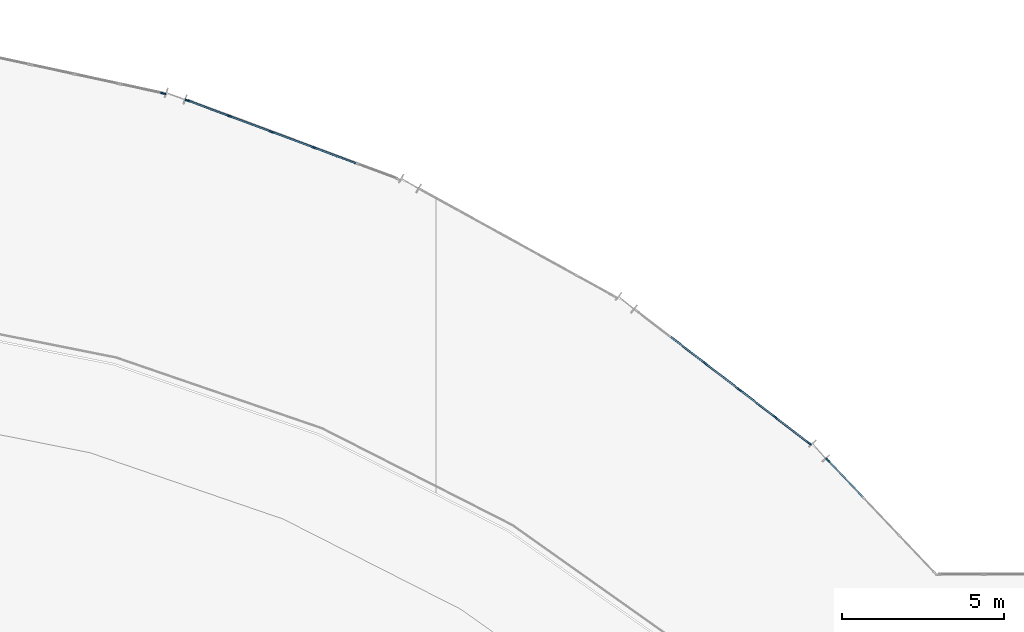
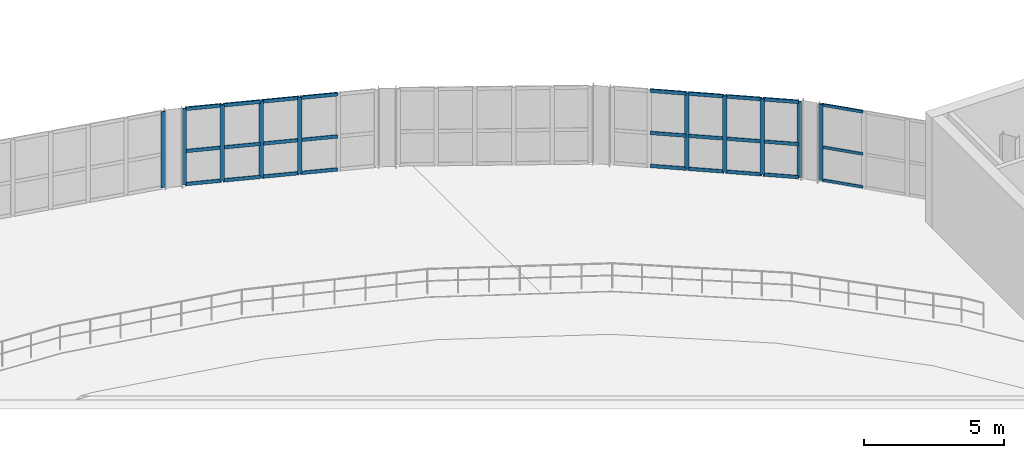
# One storey, part 20 of 40: 37 members, 4 elements without a shape of their own.
"""IFC4 building model written with IfcOpenShell, lengths in metres."""

from ifc_helpers import new_model, si_unit, direction, frame, origin, origin_2d, place, context, subcontext, project, spatial, rectangle, extrude, material, material_profile, profile_set, type_object, element, aggregate, save


model = new_model("IFC4")

# Units and contexts
model_context = context("Model", 3, precision=1e-05, world=origin(), true_north=direction((0.0, 1.0)))
body_context = subcontext(model_context, "Body", "Model", "MODEL_VIEW")
ifc_project = project(units=[si_unit("LENGTHUNIT", "METRE"), si_unit("AREAUNIT", "SQUARE_METRE"), si_unit("VOLUMEUNIT", "CUBIC_METRE"), si_unit("PLANEANGLEUNIT", "RADIAN"), si_unit("MASSUNIT", "GRAM", prefix="KILO")], contexts=[model_context])

# Site, building, storey
site_placement = place(None, origin())
site = spatial("IfcSite", under=ifc_project, at=site_placement, CompositionType="ELEMENT")
building_placement = place(site_placement, origin())
building = spatial("IfcBuilding", under=site, at=building_placement, Name="Glasvene Arena", CompositionType="ELEMENT")
storey_placement = place(building_placement, frame((0.0, 0.0, 24.0)))
storey = spatial("IfcBuildingStorey", under=building, at=storey_placement, Name="L05", CompositionType="ELEMENT", Elevation=24.0)

# Curtain wall, member
ifc_material_1 = material(Name="Low-emissivity laminated double glazing", Category="glass")
curtain_wall_type_1 = type_object("IfcCurtainWallType", Name="CW-FAC-L05-707x332", PredefinedType="USERDEFINED", material=ifc_material_1)
curtain_wall_1_placement = place(storey_placement, frame((100.1806640625, 117.368408203125, 0.0)))
curtain_wall_1 = element("IfcCurtainWall", 1, at=curtain_wall_1_placement, inside=storey, type_object=curtain_wall_type_1, Name="Unitised curtain wall CW-F-L05-150-1036-1166-20", ObjectType="CURTAIN WALL", PredefinedType="USERDEFINED")
ifc_material_2 = material(Name="Anodised architectural aluminium", Category="aluminium")
ifc_material_profile_1 = material_profile(ifc_material_2, rectangle(XDim=0.050048828125, YDim=0.159912109375, at=origin_2d()), Name="ALU MULLION 50x160")
ifc_profile_set_1 = profile_set([ifc_material_profile_1], Name="Anodised architectural aluminium")
member_type_1 = type_object("IfcMemberType", Name="CW-MUL-150", PredefinedType="MULLION", material=ifc_profile_set_1)
member_1_placement = place(storey_placement, frame((107.064697265625, 115.880859375, 0.06005859375), z_axis=(0.0, 0.0, 1.0), x_axis=(0.211220641072, 0.977438407668, 0.0)))
member_1 = element("IfcMember", 2, at=member_1_placement, type_object=member_type_1, Name="CW-064 mullion 6", PredefinedType="MULLION", context=body_context, shape_type="SweptSolid", body=[
    extrude(rectangle(XDim=0.050048828125, YDim=0.159912109375, at=origin_2d()), origin(), (0.0, 0.0, 1.0), 3.31982421875),
])
aggregate(curtain_wall_1, [member_1])

# Curtain wall, members
curtain_wall_type_2 = type_object("IfcCurtainWallType", Name="CW-FAC-L05-700x332", PredefinedType="USERDEFINED", material=ifc_material_1)
curtain_wall_2_placement = place(storey_placement, frame((107.794677734375, 115.669189453125, 0.0)))
curtain_wall_2 = element("IfcCurtainWall", 3, at=curtain_wall_2_placement, inside=storey, type_object=curtain_wall_type_2, Name="Unitised curtain wall CW-F-L05-150-1111-1144-21", ObjectType="CURTAIN WALL", PredefinedType="USERDEFINED")
member_2_placement = place(storey_placement, frame((107.818115234375, 115.66064453125, 0.06005859375), z_axis=(0.0, 0.0, 1.0), x_axis=(0.349296753096, 0.937012154818, 0.0)))
member_2 = element("IfcMember", 4, at=member_2_placement, type_object=member_type_1, Name="CW-063 mullion 1", PredefinedType="MULLION", context=body_context, shape_type="SweptSolid", body=[
    extrude(rectangle(XDim=0.050048828125, YDim=0.159912109375, at=origin_2d()), origin(), (0.0, 0.0, 1.0), 3.31982421875),
])
member_3_placement = place(storey_placement, frame((109.106201171875, 115.180419921875, 0.06005859375), z_axis=(0.0, 0.0, 1.0), x_axis=(0.349296753096, 0.937012154818, 0.0)))
member_3 = element("IfcMember", 5, at=member_3_placement, type_object=member_type_1, Name="CW-063 mullion 2", PredefinedType="MULLION", context=body_context, shape_type="SweptSolid", body=[
    extrude(rectangle(XDim=0.050048828125, YDim=0.159912109375, at=origin_2d()), origin(), (0.0, 0.0, 1.0), 3.31982421875),
])
member_4_placement = place(storey_placement, frame((110.41748046875, 114.691650390625, 0.06005859375), z_axis=(0.0, 0.0, 1.0), x_axis=(0.349296753096, 0.937012154818, 0.0)))
member_4 = element("IfcMember", 6, at=member_4_placement, type_object=member_type_1, Name="CW-063 mullion 3", PredefinedType="MULLION", context=body_context, shape_type="SweptSolid", body=[
    extrude(rectangle(XDim=0.050048828125, YDim=0.159912109375, at=origin_2d()), origin(), (0.0, 0.0, 1.0), 3.31982421875),
])
member_5_placement = place(storey_placement, frame((111.72900390625, 114.20263671875, 0.06005859375), z_axis=(0.0, 0.0, 1.0), x_axis=(0.349296753096, 0.937012154818, 0.0)))
member_5 = element("IfcMember", 7, at=member_5_placement, type_object=member_type_1, Name="CW-063 mullion 4", PredefinedType="MULLION", context=body_context, shape_type="SweptSolid", body=[
    extrude(rectangle(XDim=0.050048828125, YDim=0.159912109375, at=origin_2d()), origin(), (0.0, 0.0, 1.0), 3.31982421875),
])

curtain_wall_type_3 = type_object("IfcCurtainWallType", Name="CW-FAC-L05-679x332", PredefinedType="USERDEFINED", material=ifc_material_1)
curtain_wall_3_placement = place(storey_placement, frame((121.680419921875, 109.18212890625, 0.0)))
curtain_wall_3 = element("IfcCurtainWall", 8, at=curtain_wall_3_placement, inside=storey, type_object=curtain_wall_type_3, Name="Unitised curtain wall CW-F-L05-150-1244-1071-23", ObjectType="CURTAIN WALL", PredefinedType="USERDEFINED")
member_6_placement = place(storey_placement, frame((123.832275390625, 107.528076171875, 0.06005859375), z_axis=(0.0, 0.0, 1.0), x_axis=(0.609430105187, 0.792839799008, 0.0)))
member_6 = element("IfcMember", 9, at=member_6_placement, type_object=member_type_1, Name="CW-061 mullion 3", PredefinedType="MULLION", context=body_context, shape_type="SweptSolid", body=[
    extrude(rectangle(XDim=0.050048828125, YDim=0.159912109375, at=origin_2d()), origin(), (0.0, 0.0, 1.0), 3.31982421875),
])
member_7_placement = place(storey_placement, frame((124.908203125, 106.700927734375, 0.06005859375), z_axis=(0.0, 0.0, 1.0), x_axis=(0.609430105187, 0.792839799008, 0.0)))
member_7 = element("IfcMember", 10, at=member_7_placement, type_object=member_type_1, Name="CW-061 mullion 4", PredefinedType="MULLION", context=body_context, shape_type="SweptSolid", body=[
    extrude(rectangle(XDim=0.050048828125, YDim=0.159912109375, at=origin_2d()), origin(), (0.0, 0.0, 1.0), 3.31982421875),
])
member_8_placement = place(storey_placement, frame((125.984130859375, 105.8740234375, 0.06005859375), z_axis=(0.0, 0.0, 1.0), x_axis=(0.609430105187, 0.792839799008, 0.0)))
member_8 = element("IfcMember", 11, at=member_8_placement, type_object=member_type_1, Name="CW-061 mullion 5", PredefinedType="MULLION", context=body_context, shape_type="SweptSolid", body=[
    extrude(rectangle(XDim=0.050048828125, YDim=0.159912109375, at=origin_2d()), origin(), (0.0, 0.0, 1.0), 3.31982421875),
])
member_9_placement = place(storey_placement, frame((127.040283203125, 105.062255859375, 0.06005859375), z_axis=(0.0, 0.0, 1.0), x_axis=(0.609430105187, 0.792839799008, 0.0)))
member_9 = element("IfcMember", 12, at=member_9_placement, type_object=member_type_1, Name="CW-061 mullion 6", PredefinedType="MULLION", context=body_context, shape_type="SweptSolid", body=[
    extrude(rectangle(XDim=0.050048828125, YDim=0.159912109375, at=origin_2d()), origin(), (0.0, 0.0, 1.0), 3.31982421875),
])

curtain_wall_type_4 = type_object("IfcCurtainWallType", Name="CW-FAC-L05-486x332", PredefinedType="USERDEFINED", material=ifc_material_1)
curtain_wall_4_placement = place(storey_placement, frame((127.60791015625, 104.553466796875, 0.0)))
curtain_wall_4 = element("IfcCurtainWall", 13, at=curtain_wall_4_placement, inside=storey, type_object=curtain_wall_type_4, Name="Unitised curtain wall CW-F-L05-150-1293-1028-24", ObjectType="CURTAIN WALL", PredefinedType="USERDEFINED")
member_10_placement = place(storey_placement, frame((127.625244140625, 104.535400390625, 0.06005859375), z_axis=(0.0, 0.0, 1.0), x_axis=(0.725366727026, 0.688362630685, 0.0)))
member_10 = element("IfcMember", 14, at=member_10_placement, type_object=member_type_1, Name="CW-060 mullion 1", PredefinedType="MULLION", context=body_context, shape_type="SweptSolid", body=[
    extrude(rectangle(XDim=0.050048828125, YDim=0.159912109375, at=origin_2d()), origin(), (0.0, 0.0, 1.0), 3.31982421875),
])
ifc_material_profile_2 = material_profile(ifc_material_2, rectangle(XDim=0.050048828125, YDim=0.1201171875, at=origin_2d()), Name="ALU TRANSOM 50x120")
ifc_profile_set_2 = profile_set([ifc_material_profile_2], Name="Anodised architectural aluminium")
member_type_2 = type_object("IfcMemberType", Name="CW-TRN-120", PredefinedType="USERDEFINED", material=ifc_profile_set_2)
member_11_placement = place(storey_placement, frame((127.642333984375, 104.517333984375, 0.0849609375), z_axis=(0.688375582307, -0.725354435902, 0.0), x_axis=(0.725354435902, 0.688375582307, 0.0)))
member_11 = element("IfcMember", 15, at=member_11_placement, type_object=member_type_2, Name="CW-060 transom 1.1", ObjectType="TRANSOM", PredefinedType="USERDEFINED", context=body_context, shape_type="SweptSolid", body=[
    extrude(rectangle(XDim=0.050048828125, YDim=0.1201171875, at=origin_2d()), origin(), (0.0, 0.0, 1.0), 1.544921875),
])
member_12_placement = place(storey_placement, frame((127.642333984375, 104.517333984375, 1.52099609375), z_axis=(0.688375582307, -0.725354435902, 0.0), x_axis=(0.725354435902, 0.688375582307, 0.0)))
member_12 = element("IfcMember", 16, at=member_12_placement, type_object=member_type_2, Name="CW-060 transom 1.2", ObjectType="TRANSOM", PredefinedType="USERDEFINED", context=body_context, shape_type="SweptSolid", body=[
    extrude(rectangle(XDim=0.050048828125, YDim=0.1201171875, at=origin_2d()), origin(), (0.0, 0.0, 1.0), 1.544921875),
])
member_13_placement = place(storey_placement, frame((127.642333984375, 104.517333984375, 3.35498046875), z_axis=(0.688375582307, -0.725354435902, 0.0), x_axis=(0.725354435902, 0.688375582307, 0.0)))
member_13 = element("IfcMember", 17, at=member_13_placement, type_object=member_type_2, Name="CW-060 transom 1.3", ObjectType="TRANSOM", PredefinedType="USERDEFINED", context=body_context, shape_type="SweptSolid", body=[
    extrude(rectangle(XDim=0.050048828125, YDim=0.1201171875, at=origin_2d()), origin(), (0.0, 0.0, 1.0), 1.544921875),
])
aggregate(curtain_wall_4, [member_10, member_11, member_12, member_13])

# Member
ifc_material_profile_3 = material_profile(ifc_material_2, rectangle(XDim=0.050048828125, YDim=0.14990234375, at=origin_2d()), Name="ALU TRANSOM 50x150")
ifc_profile_set_3 = profile_set([ifc_material_profile_3], Name="Anodised architectural aluminium")
member_type_3 = type_object("IfcMemberType", Name="CW-TRN-150", PredefinedType="USERDEFINED", material=ifc_profile_set_3)
member_14_placement = place(storey_placement, frame((107.841552734375, 115.65185546875, 0.0849609375), z_axis=(0.937024171084, -0.349264516956, 0.0), x_axis=(0.349264516956, 0.937024171084, 0.0)))
member_14 = element("IfcMember", 18, at=member_14_placement, type_object=member_type_3, Name="CW-063 transom 1.1", ObjectType="TRANSOM", PredefinedType="USERDEFINED", context=body_context, shape_type="SweptSolid", body=[
    extrude(rectangle(XDim=0.050048828125, YDim=0.14990234375, at=origin_2d()), origin(), (0.0, 0.0, 1.0), 1.32470703125),
])

member_15_placement = place(storey_placement, frame((107.841552734375, 115.65185546875, 1.52099609375), z_axis=(0.937024171084, -0.349264516956, 0.0), x_axis=(0.349264516956, 0.937024171084, 0.0)))
member_15 = element("IfcMember", 19, at=member_15_placement, type_object=member_type_3, Name="CW-063 transom 1.2", ObjectType="TRANSOM", PredefinedType="USERDEFINED", context=body_context, shape_type="SweptSolid", body=[
    extrude(rectangle(XDim=0.050048828125, YDim=0.14990234375, at=origin_2d()), origin(), (0.0, 0.0, 1.0), 1.32470703125),
])

member_16_placement = place(storey_placement, frame((107.841552734375, 115.65185546875, 3.35498046875), z_axis=(0.937024171084, -0.349264516956, 0.0), x_axis=(0.349264516956, 0.937024171084, 0.0)))
member_16 = element("IfcMember", 20, at=member_16_placement, type_object=member_type_3, Name="CW-063 transom 1.3", ObjectType="TRANSOM", PredefinedType="USERDEFINED", context=body_context, shape_type="SweptSolid", body=[
    extrude(rectangle(XDim=0.050048828125, YDim=0.14990234375, at=origin_2d()), origin(), (0.0, 0.0, 1.0), 1.32470703125),
])

member_17_placement = place(storey_placement, frame((109.129638671875, 115.171630859375, 0.0849609375), z_axis=(0.93698923911, -0.349358219873, 0.0), x_axis=(0.349358219873, 0.93698923911, 0.0)))
member_17 = element("IfcMember", 21, at=member_17_placement, type_object=member_type_3, Name="CW-063 transom 2.1", ObjectType="TRANSOM", PredefinedType="USERDEFINED", context=body_context, shape_type="SweptSolid", body=[
    extrude(rectangle(XDim=0.050048828125, YDim=0.14990234375, at=origin_2d()), origin(), (0.0, 0.0, 1.0), 1.349365234375),
])

member_18_placement = place(storey_placement, frame((109.129638671875, 115.171630859375, 1.52099609375), z_axis=(0.93698923911, -0.349358219873, 0.0), x_axis=(0.349358219873, 0.93698923911, 0.0)))
member_18 = element("IfcMember", 22, at=member_18_placement, type_object=member_type_3, Name="CW-063 transom 2.2", ObjectType="TRANSOM", PredefinedType="USERDEFINED", context=body_context, shape_type="SweptSolid", body=[
    extrude(rectangle(XDim=0.050048828125, YDim=0.14990234375, at=origin_2d()), origin(), (0.0, 0.0, 1.0), 1.349365234375),
])

member_19_placement = place(storey_placement, frame((109.129638671875, 115.171630859375, 3.35498046875), z_axis=(0.93698923911, -0.349358219873, 0.0), x_axis=(0.349358219873, 0.93698923911, 0.0)))
member_19 = element("IfcMember", 23, at=member_19_placement, type_object=member_type_3, Name="CW-063 transom 2.3", ObjectType="TRANSOM", PredefinedType="USERDEFINED", context=body_context, shape_type="SweptSolid", body=[
    extrude(rectangle(XDim=0.050048828125, YDim=0.14990234375, at=origin_2d()), origin(), (0.0, 0.0, 1.0), 1.349365234375),
])

member_20_placement = place(storey_placement, frame((110.44091796875, 114.682861328125, 0.0849609375), z_axis=(0.9370113151, -0.349299005687, 0.0), x_axis=(0.349299005687, 0.9370113151, 0.0)))
member_20 = element("IfcMember", 24, at=member_20_placement, type_object=member_type_3, Name="CW-063 transom 3.1", ObjectType="TRANSOM", PredefinedType="USERDEFINED", context=body_context, shape_type="SweptSolid", body=[
    extrude(rectangle(XDim=0.050048828125, YDim=0.14990234375, at=origin_2d()), origin(), (0.0, 0.0, 1.0), 1.349609375),
])

member_21_placement = place(storey_placement, frame((110.44091796875, 114.682861328125, 1.52099609375), z_axis=(0.9370113151, -0.349299005687, 0.0), x_axis=(0.349299005687, 0.9370113151, 0.0)))
member_21 = element("IfcMember", 25, at=member_21_placement, type_object=member_type_3, Name="CW-063 transom 3.2", ObjectType="TRANSOM", PredefinedType="USERDEFINED", context=body_context, shape_type="SweptSolid", body=[
    extrude(rectangle(XDim=0.050048828125, YDim=0.14990234375, at=origin_2d()), origin(), (0.0, 0.0, 1.0), 1.349609375),
])

member_22_placement = place(storey_placement, frame((110.44091796875, 114.682861328125, 3.35498046875), z_axis=(0.9370113151, -0.349299005687, 0.0), x_axis=(0.349299005687, 0.9370113151, 0.0)))
member_22 = element("IfcMember", 26, at=member_22_placement, type_object=member_type_3, Name="CW-063 transom 3.3", ObjectType="TRANSOM", PredefinedType="USERDEFINED", context=body_context, shape_type="SweptSolid", body=[
    extrude(rectangle(XDim=0.050048828125, YDim=0.14990234375, at=origin_2d()), origin(), (0.0, 0.0, 1.0), 1.349609375),
])

member_23_placement = place(storey_placement, frame((111.75244140625, 114.194091796875, 0.0849609375), z_axis=(0.93698923911, -0.349358219873, 0.0), x_axis=(0.349358219873, 0.93698923911, 0.0)))
member_23 = element("IfcMember", 27, at=member_23_placement, type_object=member_type_3, Name="CW-063 transom 4.1", ObjectType="TRANSOM", PredefinedType="USERDEFINED", context=body_context, shape_type="SweptSolid", body=[
    extrude(rectangle(XDim=0.050048828125, YDim=0.14990234375, at=origin_2d()), origin(), (0.0, 0.0, 1.0), 1.349365234375),
])

member_24_placement = place(storey_placement, frame((111.75244140625, 114.194091796875, 1.52099609375), z_axis=(0.93698923911, -0.349358219873, 0.0), x_axis=(0.349358219873, 0.93698923911, 0.0)))
member_24 = element("IfcMember", 28, at=member_24_placement, type_object=member_type_3, Name="CW-063 transom 4.2", ObjectType="TRANSOM", PredefinedType="USERDEFINED", context=body_context, shape_type="SweptSolid", body=[
    extrude(rectangle(XDim=0.050048828125, YDim=0.14990234375, at=origin_2d()), origin(), (0.0, 0.0, 1.0), 1.349365234375),
])

member_25_placement = place(storey_placement, frame((111.75244140625, 114.194091796875, 3.35498046875), z_axis=(0.93698923911, -0.349358219873, 0.0), x_axis=(0.349358219873, 0.93698923911, 0.0)))
member_25 = element("IfcMember", 29, at=member_25_placement, type_object=member_type_3, Name="CW-063 transom 4.3", ObjectType="TRANSOM", PredefinedType="USERDEFINED", context=body_context, shape_type="SweptSolid", body=[
    extrude(rectangle(XDim=0.050048828125, YDim=0.14990234375, at=origin_2d()), origin(), (0.0, 0.0, 1.0), 1.349365234375),
])

aggregate(curtain_wall_2, [member_2, member_3, member_4, member_5, member_14, member_15, member_16, member_17, member_18, member_19, member_20, member_21, member_22, member_23, member_24, member_25])

member_26_placement = place(storey_placement, frame((122.776123046875, 108.33984375, 0.0849609375), z_axis=(0.7927697937, -0.609521167965, 0.0), x_axis=(0.609521167965, 0.7927697937, 0.0)))
member_26 = element("IfcMember", 30, at=member_26_placement, type_object=member_type_3, Name="CW-061 transom 2.1", ObjectType="TRANSOM", PredefinedType="USERDEFINED", context=body_context, shape_type="SweptSolid", body=[
    extrude(rectangle(XDim=0.050048828125, YDim=0.14990234375, at=origin_2d()), origin(), (0.0, 0.0, 1.0), 1.306884765625),
])

member_27_placement = place(storey_placement, frame((122.776123046875, 108.33984375, 1.52099609375), z_axis=(0.7927697937, -0.609521167965, 0.0), x_axis=(0.609521167965, 0.7927697937, 0.0)))
member_27 = element("IfcMember", 31, at=member_27_placement, type_object=member_type_3, Name="CW-061 transom 2.2", ObjectType="TRANSOM", PredefinedType="USERDEFINED", context=body_context, shape_type="SweptSolid", body=[
    extrude(rectangle(XDim=0.050048828125, YDim=0.14990234375, at=origin_2d()), origin(), (0.0, 0.0, 1.0), 1.306884765625),
])

member_28_placement = place(storey_placement, frame((122.776123046875, 108.33984375, 3.35498046875), z_axis=(0.7927697937, -0.609521167965, 0.0), x_axis=(0.609521167965, 0.7927697937, 0.0)))
member_28 = element("IfcMember", 32, at=member_28_placement, type_object=member_type_3, Name="CW-061 transom 2.3", ObjectType="TRANSOM", PredefinedType="USERDEFINED", context=body_context, shape_type="SweptSolid", body=[
    extrude(rectangle(XDim=0.050048828125, YDim=0.14990234375, at=origin_2d()), origin(), (0.0, 0.0, 1.0), 1.306884765625),
])

member_29_placement = place(storey_placement, frame((123.85205078125, 107.5126953125, 0.0849609375), z_axis=(0.792860057834, -0.609403748505, 0.0), x_axis=(0.609403748505, 0.792860057834, 0.0)))
member_29 = element("IfcMember", 33, at=member_29_placement, type_object=member_type_3, Name="CW-061 transom 3.1", ObjectType="TRANSOM", PredefinedType="USERDEFINED", context=body_context, shape_type="SweptSolid", body=[
    extrude(rectangle(XDim=0.050048828125, YDim=0.14990234375, at=origin_2d()), origin(), (0.0, 0.0, 1.0), 1.306884765625),
])

member_30_placement = place(storey_placement, frame((123.85205078125, 107.5126953125, 1.52099609375), z_axis=(0.792860057834, -0.609403748505, 0.0), x_axis=(0.609403748505, 0.792860057834, 0.0)))
member_30 = element("IfcMember", 34, at=member_30_placement, type_object=member_type_3, Name="CW-061 transom 3.2", ObjectType="TRANSOM", PredefinedType="USERDEFINED", context=body_context, shape_type="SweptSolid", body=[
    extrude(rectangle(XDim=0.050048828125, YDim=0.14990234375, at=origin_2d()), origin(), (0.0, 0.0, 1.0), 1.306884765625),
])

member_31_placement = place(storey_placement, frame((123.85205078125, 107.5126953125, 3.35498046875), z_axis=(0.792860057834, -0.609403748505, 0.0), x_axis=(0.609403748505, 0.792860057834, 0.0)))
member_31 = element("IfcMember", 35, at=member_31_placement, type_object=member_type_3, Name="CW-061 transom 3.3", ObjectType="TRANSOM", PredefinedType="USERDEFINED", context=body_context, shape_type="SweptSolid", body=[
    extrude(rectangle(XDim=0.050048828125, YDim=0.14990234375, at=origin_2d()), origin(), (0.0, 0.0, 1.0), 1.306884765625),
])

member_32_placement = place(storey_placement, frame((124.927978515625, 106.685791015625, 0.0849609375), z_axis=(0.792839176662, -0.609430914829, 0.0), x_axis=(0.609430914829, 0.792839176662, 0.0)))
member_32 = element("IfcMember", 36, at=member_32_placement, type_object=member_type_3, Name="CW-061 transom 4.1", ObjectType="TRANSOM", PredefinedType="USERDEFINED", context=body_context, shape_type="SweptSolid", body=[
    extrude(rectangle(XDim=0.050048828125, YDim=0.14990234375, at=origin_2d()), origin(), (0.0, 0.0, 1.0), 1.30712890625),
])

member_33_placement = place(storey_placement, frame((124.927978515625, 106.685791015625, 1.52099609375), z_axis=(0.792839176662, -0.609430914829, 0.0), x_axis=(0.609430914829, 0.792839176662, 0.0)))
member_33 = element("IfcMember", 37, at=member_33_placement, type_object=member_type_3, Name="CW-061 transom 4.2", ObjectType="TRANSOM", PredefinedType="USERDEFINED", context=body_context, shape_type="SweptSolid", body=[
    extrude(rectangle(XDim=0.050048828125, YDim=0.14990234375, at=origin_2d()), origin(), (0.0, 0.0, 1.0), 1.30712890625),
])

member_34_placement = place(storey_placement, frame((124.927978515625, 106.685791015625, 3.35498046875), z_axis=(0.792839176662, -0.609430914829, 0.0), x_axis=(0.609430914829, 0.792839176662, 0.0)))
member_34 = element("IfcMember", 38, at=member_34_placement, type_object=member_type_3, Name="CW-061 transom 4.3", ObjectType="TRANSOM", PredefinedType="USERDEFINED", context=body_context, shape_type="SweptSolid", body=[
    extrude(rectangle(XDim=0.050048828125, YDim=0.14990234375, at=origin_2d()), origin(), (0.0, 0.0, 1.0), 1.30712890625),
])

member_35_placement = place(storey_placement, frame((126.00390625, 105.858642578125, 0.0849609375), z_axis=(0.792836336902, -0.609434609197, 0.0), x_axis=(0.609434609197, 0.792836336902, 0.0)))
member_35 = element("IfcMember", 39, at=member_35_placement, type_object=member_type_3, Name="CW-061 transom 5.1", ObjectType="TRANSOM", PredefinedType="USERDEFINED", context=body_context, shape_type="SweptSolid", body=[
    extrude(rectangle(XDim=0.050048828125, YDim=0.14990234375, at=origin_2d()), origin(), (0.0, 0.0, 1.0), 1.281982421875),
])

member_36_placement = place(storey_placement, frame((126.00390625, 105.858642578125, 1.52099609375), z_axis=(0.792836336902, -0.609434609197, 0.0), x_axis=(0.609434609197, 0.792836336902, 0.0)))
member_36 = element("IfcMember", 40, at=member_36_placement, type_object=member_type_3, Name="CW-061 transom 5.2", ObjectType="TRANSOM", PredefinedType="USERDEFINED", context=body_context, shape_type="SweptSolid", body=[
    extrude(rectangle(XDim=0.050048828125, YDim=0.14990234375, at=origin_2d()), origin(), (0.0, 0.0, 1.0), 1.281982421875),
])

member_37_placement = place(storey_placement, frame((126.00390625, 105.858642578125, 3.35498046875), z_axis=(0.792836336902, -0.609434609197, 0.0), x_axis=(0.609434609197, 0.792836336902, 0.0)))
member_37 = element("IfcMember", 41, at=member_37_placement, type_object=member_type_3, Name="CW-061 transom 5.3", ObjectType="TRANSOM", PredefinedType="USERDEFINED", context=body_context, shape_type="SweptSolid", body=[
    extrude(rectangle(XDim=0.050048828125, YDim=0.14990234375, at=origin_2d()), origin(), (0.0, 0.0, 1.0), 1.281982421875),
])

aggregate(curtain_wall_3, [member_6, member_7, member_8, member_9, member_26, member_27, member_28, member_29, member_30, member_31, member_32, member_33, member_34, member_35, member_36, member_37])

save(model, "model.ifc")
